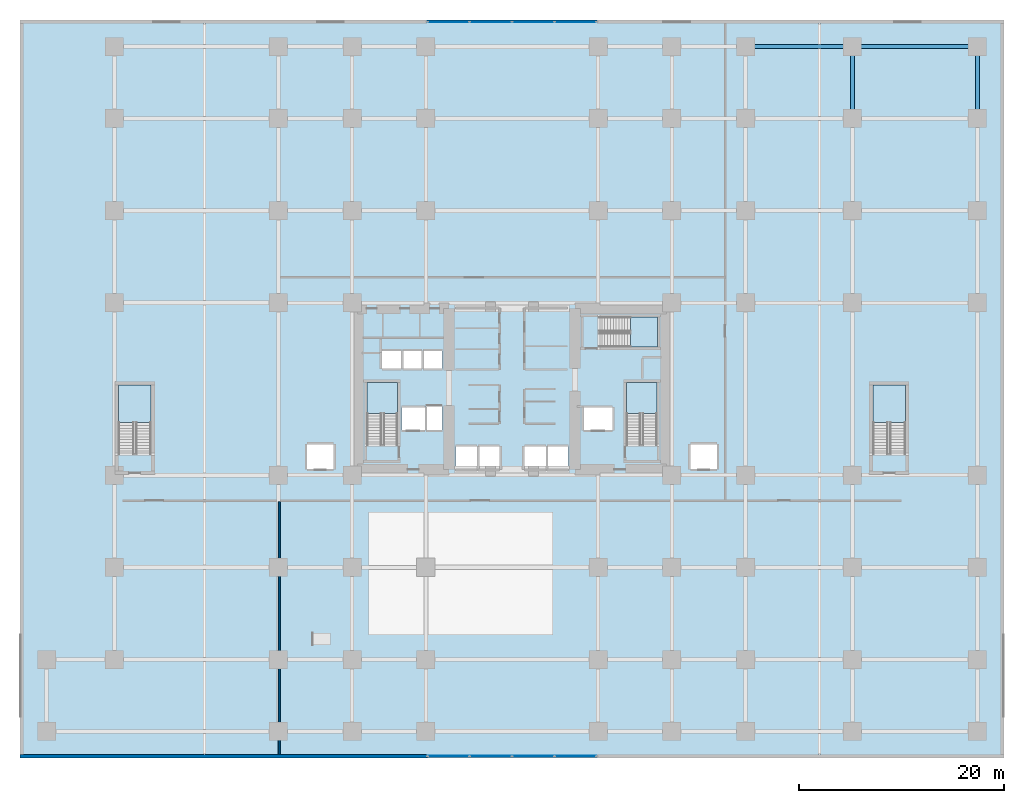
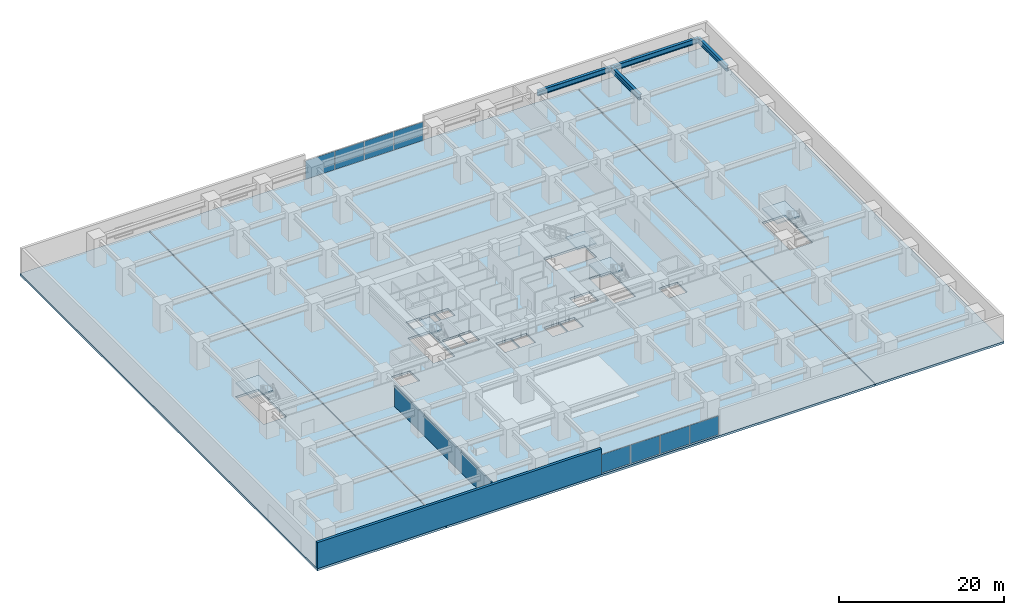
# One storey, part 9 of 22: 8 plates, 8 slabs, 4 beams, 2 walls, 7 elements without a shape of their own.
"""IFC4 building model written with IfcOpenShell, lengths in metres."""

from ifc_helpers import new_model, si_unit, direction, frame, frame_2d, origin, origin_2d, place, context, subcontext, project, spatial, polyline, rectangle, i_section, outline, extrude, material, layer, layer_set, material_profile, profile_set, type_object, element, aggregate, save


model = new_model("IFC4")

# Units and contexts
model_context = context("Model", 3, precision=1e-05, world=origin(), true_north=direction((0.0, 1.0)))
body_context = subcontext(model_context, "Body", "Model", "MODEL_VIEW")
ifc_project = project(units=[si_unit("LENGTHUNIT", "METRE"), si_unit("AREAUNIT", "SQUARE_METRE"), si_unit("VOLUMEUNIT", "CUBIC_METRE"), si_unit("PLANEANGLEUNIT", "RADIAN"), si_unit("MASSUNIT", "GRAM", prefix="KILO")], contexts=[model_context])

# Site, building, storey
site_placement = place(None, origin())
site = spatial("IfcSite", under=ifc_project, at=site_placement, CompositionType="ELEMENT")
building_placement = place(site_placement, origin())
building = spatial("IfcBuilding", under=site, at=building_placement, Name="Kiyonajd Concourse Tower", CompositionType="ELEMENT")
storey_placement = place(building_placement, frame((0.0, 0.0, 12.89990234375)))
storey = spatial("IfcBuildingStorey", under=building, at=storey_placement, Name="L04", CompositionType="ELEMENT", Elevation=12.89990234375)

# Beams
ifc_material_1 = material(Name="Steel ASTM A992 Grade 50", Category="steel")
ifc_material_profile = material_profile(ifc_material_1, i_section(OverallWidth=0.381103515625, OverallDepth=0.77294921875, WebThickness=0.0166015625, FlangeThickness=0.027099609375, at=origin_2d()), Name="W760X257")
ifc_profile_set = profile_set([ifc_material_profile], Name="Steel ASTM A992 Grade 50")
beam_type = type_object("IfcBeamType", Name="BM-POD-760", PredefinedType="BEAM", material=ifc_profile_set)
beam_1_placement = place(storey_placement, frame((70.800048828125, 69.39990234375, 3.45361328125), z_axis=(1.0, 0.0, 0.0), x_axis=(0.0, 1.0, 0.0)))
element("IfcBeam", 1, at=beam_1_placement, inside=storey, type_object=beam_type, Name="L04 Podium Primary Beam", PredefinedType="BEAM", context=body_context, shape_type="SweptSolid", body=[
    extrude(i_section(OverallWidth=0.381103515625, OverallDepth=0.77294921875, WebThickness=0.0166015625, FlangeThickness=0.027099609375, at=origin_2d()), origin(), (0.0, 0.0, 1.0), 10.39990234375),
])
beam_2_placement = place(storey_placement, frame((81.199951171875, 69.39990234375, 3.45361328125), z_axis=(1.0, 0.0, 0.0), x_axis=(0.0, 1.0, 0.0)))
element("IfcBeam", 2, at=beam_2_placement, inside=storey, type_object=beam_type, Name="L04 Podium Primary Beam", PredefinedType="BEAM", context=body_context, shape_type="SweptSolid", body=[
    extrude(i_section(OverallWidth=0.381103515625, OverallDepth=0.77294921875, WebThickness=0.0166015625, FlangeThickness=0.027099609375, at=origin_2d()), origin(), (0.0, 0.0, 1.0), 12.199951171875),
])
for number, where, z_axis, x_axis, name in (
    (3, (81.199951171875, 62.39990234375, 3.45361328125), (0.0, 1.0, 0.0), (-1.0, 0.0, 0.0), "L04 Podium North South Beam"),
    (4, (93.39990234375, 62.39990234375, 3.45361328125), (0.0, 1.0, 0.0), (-1.0, 0.0, 0.0), "L04 Podium North South Beam"),
):
    element("IfcBeam", number, at=place(storey_placement, frame(where, z_axis=z_axis, x_axis=x_axis)), inside=storey, type_object=beam_type, Name=name, PredefinedType="BEAM", context=body_context, shape_type="SweptSolid", body=[
        extrude(i_section(OverallWidth=0.381103515625, OverallDepth=0.77294921875, WebThickness=0.0166015625, FlangeThickness=0.027099609375, at=origin_2d()), origin(), (0.0, 0.0, 1.0), 7.0),
    ])

# Curtain wall, plates
ifc_material_2 = material(Name="Thermally Broken Anodised Aluminium", Category="aluminium")
ifc_layer_1 = layer(ifc_material_2, 0.179931640625)
ifc_layer_set_1 = layer_set([ifc_layer_1], Name="Thermally Broken Anodised Aluminium")
curtain_wall_type = type_object("IfcCurtainWallType", Name="CW-SYS-01", PredefinedType="NOTDEFINED", material=ifc_layer_set_1)
curtain_wall_1_placement = place(storey_placement, origin())
curtain_wall_1 = element("IfcCurtainWall", 5, at=curtain_wall_1_placement, inside=storey, type_object=curtain_wall_type, Name="L04 Unitised Curtain Wall CW1", PredefinedType="NOTDEFINED")
ifc_material_3 = material(Name="Double Low-E Insulated Glass", Category="glass")
ifc_layer_2 = layer(ifc_material_3, 0.0400390625)
ifc_layer_set_2 = layer_set([ifc_layer_2], Name="Double Low-E Insulated Glass")
plate_type = type_object("IfcPlateType", Name="PL-CW-VIS40", PredefinedType="CURTAIN_PANEL", material=ifc_layer_set_2)
plate_1_placement = place(storey_placement, frame((41.808837890625, 71.820068359375, 0.0751953125), z_axis=(0.0, 0.0, 1.0), x_axis=(1.0, 0.0, 0.0)))
plate_1 = element("IfcPlate", 6, at=plate_1_placement, type_object=plate_type, Name="CW1 panel 1.1", PredefinedType="CURTAIN_PANEL", context=body_context, shape_type="SweptSolid", body=[
    extrude(rectangle(XDim=4.027587890625, YDim=0.0400390625, at=origin_2d()), origin(), (0.0, 0.0, 1.0), 2.739990234375),
])
plate_2_placement = place(storey_placement, frame((45.929931640625, 71.820068359375, 0.0751953125), z_axis=(0.0, 0.0, 1.0), x_axis=(1.0, 0.0, 0.0)))
plate_2 = element("IfcPlate", 7, at=plate_2_placement, type_object=plate_type, Name="CW1 panel 2.1", PredefinedType="CURTAIN_PANEL", context=body_context, shape_type="SweptSolid", body=[
    extrude(rectangle(XDim=4.06494140625, YDim=0.0400390625, at=origin_2d()), origin(), (0.0, 0.0, 1.0), 2.739990234375),
])
plate_3_placement = place(storey_placement, frame((50.070068359375, 71.820068359375, 0.0751953125), z_axis=(0.0, 0.0, 1.0), x_axis=(1.0, 0.0, 0.0)))
plate_3 = element("IfcPlate", 8, at=plate_3_placement, type_object=plate_type, Name="CW1 panel 3.1", PredefinedType="CURTAIN_PANEL", context=body_context, shape_type="SweptSolid", body=[
    extrude(rectangle(XDim=4.06494140625, YDim=0.0400390625, at=origin_2d()), origin(), (0.0, 0.0, 1.0), 2.739990234375),
])
plate_4_placement = place(storey_placement, frame((54.191162109375, 71.820068359375, 0.0751953125), z_axis=(0.0, 0.0, 1.0), x_axis=(1.0, 0.0, 0.0)))
plate_4 = element("IfcPlate", 9, at=plate_4_placement, type_object=plate_type, Name="CW1 panel 4.1", PredefinedType="CURTAIN_PANEL", context=body_context, shape_type="SweptSolid", body=[
    extrude(rectangle(XDim=4.027587890625, YDim=0.0400390625, at=origin_2d()), origin(), (0.0, 0.0, 1.0), 2.739990234375),
])
aggregate(curtain_wall_1, [plate_1, plate_2, plate_3, plate_4])

curtain_wall_2_placement = place(storey_placement, origin())
curtain_wall_2 = element("IfcCurtainWall", 10, at=curtain_wall_2_placement, inside=storey, type_object=curtain_wall_type, Name="L04 Unitised Curtain Wall CW1", PredefinedType="NOTDEFINED")
plate_5_placement = place(storey_placement, frame((54.191162109375, 0.179931640625, 0.0751953125), z_axis=(0.0, 0.0, 1.0), x_axis=(-1.0, 0.0, 0.0)))
plate_5 = element("IfcPlate", 11, at=plate_5_placement, type_object=plate_type, Name="CW1 panel 1.1", PredefinedType="CURTAIN_PANEL", context=body_context, shape_type="SweptSolid", body=[
    extrude(rectangle(XDim=4.027587890625, YDim=0.0400390625, at=origin_2d()), origin(), (0.0, 0.0, 1.0), 2.739990234375),
])
plate_6_placement = place(storey_placement, frame((50.070068359375, 0.179931640625, 0.0751953125), z_axis=(0.0, 0.0, 1.0), x_axis=(-1.0, 0.0, 0.0)))
plate_6 = element("IfcPlate", 12, at=plate_6_placement, type_object=plate_type, Name="CW1 panel 2.1", PredefinedType="CURTAIN_PANEL", context=body_context, shape_type="SweptSolid", body=[
    extrude(rectangle(XDim=4.06494140625, YDim=0.0400390625, at=origin_2d()), origin(), (0.0, 0.0, 1.0), 2.739990234375),
])
plate_7_placement = place(storey_placement, frame((45.929931640625, 0.179931640625, 0.0751953125), z_axis=(0.0, 0.0, 1.0), x_axis=(-1.0, 0.0, 0.0)))
plate_7 = element("IfcPlate", 13, at=plate_7_placement, type_object=plate_type, Name="CW1 panel 3.1", PredefinedType="CURTAIN_PANEL", context=body_context, shape_type="SweptSolid", body=[
    extrude(rectangle(XDim=4.06494140625, YDim=0.0400390625, at=origin_2d()), origin(), (0.0, 0.0, 1.0), 2.739990234375),
])
plate_8_placement = place(storey_placement, frame((41.808837890625, 0.179931640625, 0.0751953125), z_axis=(0.0, 0.0, 1.0), x_axis=(-1.0, 0.0, 0.0)))
plate_8 = element("IfcPlate", 14, at=plate_8_placement, type_object=plate_type, Name="CW1 panel 4.1", PredefinedType="CURTAIN_PANEL", context=body_context, shape_type="SweptSolid", body=[
    extrude(rectangle(XDim=4.027587890625, YDim=0.0400390625, at=origin_2d()), origin(), (0.0, 0.0, 1.0), 2.739990234375),
])
aggregate(curtain_wall_2, [plate_5, plate_6, plate_7, plate_8])

# Stair, slab
ifc_material_4 = material(Name="Concrete C40/50", Category="concrete")
stair_type_1 = type_object("IfcStairType", Name="ST-DLG-24R", PredefinedType="HALF_TURN_STAIR", material=ifc_material_4)
stair_1_placement = place(storey_placement, origin())
stair_1 = element("IfcStair", 15, at=stair_1_placement, inside=storey, type_object=stair_type_1, Name="L04 Protected Exit Stair ST1", PredefinedType="HALF_TURN_STAIR")
ifc_layer_3 = layer(ifc_material_4, 0.199951171875)
ifc_layer_set_3 = layer_set([ifc_layer_3], Name="Concrete C40/50")
slab_type_1 = type_object("IfcSlabType", Name="SL-LND-200", PredefinedType="LANDING", material=ifc_layer_set_3)
slab_1_placement = place(storey_placement, frame((0.0, 0.0, 1.900146484375)))
slab_1 = element("IfcSlab", 16, at=slab_1_placement, type_object=slab_type_1, Name="ST1 landing 1", PredefinedType="LANDING", context=body_context, shape_type="SweptSolid", body=[
    extrude(outline(polyline([(36.85009765625, 33.6298828125), (36.85009765625, 36.64990234375), (33.85009765625, 36.64990234375), (33.85009765625, 33.6298828125), (36.85009765625, 33.6298828125)])), origin(), (0.0, 0.0, 1.0), 0.199951171875),
])
aggregate(stair_1, [slab_1])

stair_2_placement = place(storey_placement, origin())
stair_2 = element("IfcStair", 17, at=stair_2_placement, inside=storey, type_object=stair_type_1, Name="L04 Protected Exit Stair ST2", PredefinedType="HALF_TURN_STAIR")
slab_2_placement = place(storey_placement, frame((0.0, 0.0, 1.900146484375)))
slab_2 = element("IfcSlab", 18, at=slab_2_placement, type_object=slab_type_1, Name="ST2 landing 1", PredefinedType="LANDING", context=body_context, shape_type="SweptSolid", body=[
    extrude(outline(polyline([(62.14990234375, 33.6298828125), (62.14990234375, 36.64990234375), (59.14990234375, 36.64990234375), (59.14990234375, 33.6298828125), (62.14990234375, 33.6298828125)])), origin(), (0.0, 0.0, 1.0), 0.199951171875),
])
aggregate(stair_2, [slab_2])

stair_3_placement = place(storey_placement, origin())
stair_3 = element("IfcStair", 19, at=stair_3_placement, inside=storey, type_object=stair_type_1, Name="L04 Protected Exit Stair ST3", PredefinedType="HALF_TURN_STAIR")
slab_3_placement = place(storey_placement, frame((0.0, 0.0, 1.900146484375)))
slab_3 = element("IfcSlab", 20, at=slab_3_placement, type_object=slab_type_1, Name="ST3 landing 1", PredefinedType="LANDING", context=body_context, shape_type="SweptSolid", body=[
    extrude(outline(polyline([(59.56005859375, 40.080078125), (62.179931640625, 40.080078125), (62.179931640625, 43.02001953125), (59.56005859375, 43.02001953125), (59.56005859375, 40.080078125)])), origin(), (0.0, 0.0, 1.0), 0.199951171875),
])
aggregate(stair_3, [slab_3])

stair_type_2 = type_object("IfcStairType", Name="ST-POD-1500", PredefinedType="HALF_TURN_STAIR", material=ifc_material_4)
stair_4_placement = place(storey_placement, origin())
stair_4 = element("IfcStair", 21, at=stair_4_placement, inside=storey, type_object=stair_type_2, Name="L04 West Podium Exit Stair ST4", PredefinedType="HALF_TURN_STAIR")
slab_4_placement = place(storey_placement, frame((0.0, 0.0, 1.900146484375)))
slab_4 = element("IfcSlab", 22, at=slab_4_placement, type_object=slab_type_1, Name="ST4 landing 1", PredefinedType="LANDING", context=body_context, shape_type="SweptSolid", body=[
    extrude(outline(polyline([(12.800048828125, 32.72998046875), (12.800048828125, 36.39990234375), (9.60009765625, 36.39990234375), (9.60009765625, 32.72998046875), (12.800048828125, 32.72998046875)])), origin(), (0.0, 0.0, 1.0), 0.199951171875),
])
aggregate(stair_4, [slab_4])

stair_5_placement = place(storey_placement, origin())
stair_5 = element("IfcStair", 23, at=stair_5_placement, inside=storey, type_object=stair_type_2, Name="L04 East Podium Exit Stair ST5", PredefinedType="HALF_TURN_STAIR")
slab_5_placement = place(storey_placement, frame((0.0, 0.0, 1.900146484375)))
slab_5 = element("IfcSlab", 24, at=slab_5_placement, type_object=slab_type_1, Name="ST5 landing 1", PredefinedType="LANDING", context=body_context, shape_type="SweptSolid", body=[
    extrude(outline(polyline([(86.39990234375, 32.72998046875), (86.39990234375, 36.39990234375), (83.199951171875, 36.39990234375), (83.199951171875, 32.72998046875), (86.39990234375, 32.72998046875)])), origin(), (0.0, 0.0, 1.0), 0.199951171875),
])
aggregate(stair_5, [slab_5])

# Slabs
ifc_layer_4 = layer(ifc_material_4, 0.320068359375)
ifc_layer_set_4 = layer_set([ifc_layer_4], Name="Concrete C40/50")
slab_type_2 = type_object("IfcSlabType", Name="SL-POD-320", PredefinedType="FLOOR", material=ifc_layer_set_4)
slab_6_placement = place(storey_placement, frame((0.0, 0.0, -0.31982421875)))
element("IfcSlab", 25, at=slab_6_placement, inside=storey, type_object=slab_type_2, Name="L04 West Wing Podium Structural Floor Slab", PredefinedType="FLOOR", context=body_context, shape_type="SweptSolid", body=[
    extrude(outline(polyline([(0.0, 0.0), (17.93994140625, 0.0), (17.93994140625, 72.0), (0.0, 72.0), (0.0, 0.0)]), holes=[polyline([(9.60009765625, 29.64990234375), (9.60009765625, 36.39990234375), (12.800048828125, 36.39990234375), (12.800048828125, 29.64990234375), (9.60009765625, 29.64990234375)])]), origin(), (0.0, 0.0, 1.0), 0.31982421875),
])
slab_7_placement = place(storey_placement, frame((0.0, 0.0, -0.31982421875)))
element("IfcSlab", 26, at=slab_7_placement, inside=storey, type_object=slab_type_2, Name="L04 Central Tower Zone Podium Structural Floor Slab", PredefinedType="FLOOR", context=body_context, shape_type="SweptSolid", body=[
    extrude(outline(polyline([(18.06005859375, 0.0), (77.93994140625, 0.0), (77.93994140625, 72.0), (18.06005859375, 72.0), (18.06005859375, 0.0)]), holes=[polyline([(42.5, 28.199951171875), (42.5, 30.39990234375), (44.60009765625, 30.39990234375), (44.60009765625, 28.199951171875), (42.5, 28.199951171875)]), polyline([(28.0, 28.199951171875), (28.0, 30.60009765625), (30.60009765625, 30.60009765625), (30.60009765625, 28.199951171875), (28.0, 28.199951171875)]), polyline([(37.199951171875, 32.0), (37.199951171875, 34.199951171875), (39.5, 34.199951171875), (39.5, 32.0), (37.199951171875, 32.0)]), polyline([(39.60009765625, 32.0), (39.60009765625, 34.300048828125), (41.199951171875, 34.300048828125), (41.199951171875, 32.0), (39.60009765625, 32.0)]), polyline([(33.85009765625, 30.550048828125), (33.85009765625, 36.64990234375), (36.85009765625, 36.64990234375), (36.85009765625, 30.550048828125), (33.85009765625, 30.550048828125)]), polyline([(35.300048828125, 38.0), (35.300048828125, 39.699951171875), (37.199951171875, 39.699951171875), (37.199951171875, 38.0), (35.300048828125, 38.0)]), polyline([(37.300048828125, 38.0), (37.300048828125, 39.699951171875), (39.199951171875, 39.699951171875), (39.199951171875, 38.0), (37.300048828125, 38.0)]), polyline([(39.300048828125, 38.0), (39.300048828125, 39.699951171875), (41.199951171875, 39.699951171875), (41.199951171875, 38.0), (39.300048828125, 38.0)]), polyline([(44.699951171875, 28.199951171875), (44.699951171875, 30.39990234375), (46.800048828125, 30.39990234375), (46.800048828125, 28.199951171875), (44.699951171875, 28.199951171875)]), polyline([(49.199951171875, 28.199951171875), (49.199951171875, 30.39990234375), (51.300048828125, 30.39990234375), (51.300048828125, 28.199951171875), (49.199951171875, 28.199951171875)]), polyline([(51.39990234375, 28.199951171875), (51.39990234375, 30.39990234375), (53.5, 30.39990234375), (53.5, 28.199951171875), (51.39990234375, 28.199951171875)]), polyline([(65.39990234375, 28.199951171875), (65.39990234375, 30.60009765625), (68.0, 30.60009765625), (68.0, 28.199951171875), (65.39990234375, 28.199951171875)]), polyline([(55.0, 32.0), (55.0, 34.199951171875), (57.800048828125, 34.199951171875), (57.800048828125, 32.0), (55.0, 32.0)]), polyline([(59.14990234375, 36.64990234375), (62.14990234375, 36.64990234375), (62.14990234375, 30.550048828125), (59.14990234375, 30.550048828125), (59.14990234375, 36.64990234375)]), polyline([(62.179931640625, 43.02001953125), (62.179931640625, 40.080078125), (56.47998046875, 40.080078125), (56.47998046875, 43.02001953125), (62.179931640625, 43.02001953125)])]), origin(), (0.0, 0.0, 1.0), 0.31982421875),
])
slab_8_placement = place(storey_placement, frame((0.0, 0.0, -0.31982421875)))
element("IfcSlab", 27, at=slab_8_placement, inside=storey, type_object=slab_type_2, Name="L04 East Wing Podium Structural Floor Slab", PredefinedType="FLOOR", context=body_context, shape_type="SweptSolid", body=[
    extrude(outline(polyline([(78.06005859375, 0.0), (96.0, 0.0), (96.0, 72.0), (78.06005859375, 72.0), (78.06005859375, 0.0)]), holes=[polyline([(83.199951171875, 29.64990234375), (83.199951171875, 36.39990234375), (86.39990234375, 36.39990234375), (86.39990234375, 29.64990234375), (83.199951171875, 29.64990234375)])]), origin(), (0.0, 0.0, 1.0), 0.31982421875),
])

# Walls
ifc_material_5 = material(Name="Precast concrete C50/60", Category="concrete")
ifc_layer_5 = layer(ifc_material_5, 0.360107421875)
ifc_layer_set_5 = layer_set([ifc_layer_5], Name="Precast concrete C50/60")
wall_type_1 = type_object("IfcWallType", Name="WL-EXT-360", PredefinedType="SOLIDWALL", material=ifc_layer_set_5)
wall_1_placement = place(storey_placement, frame((39.719970703125, 0.179931640625, 0.0), z_axis=(0.0, 0.0, 1.0), x_axis=(-1.0, 0.0, 0.0)))
element("IfcWall", 28, at=wall_1_placement, inside=storey, type_object=wall_type_1, Name="L04 South West Podium Facade Wall", PredefinedType="SOLIDWALL", context=body_context, shape_type="SweptSolid", body=[
    extrude(rectangle(XDim=39.719970703125, YDim=0.360107421875, at=frame_2d((19.85986328125, 0.0))), origin(), (0.0, 0.0, 1.0), 3.840087890625),
])
ifc_material_6 = material(Name="Gypsum Board on Cold-Formed Steel Stud", Category="steel")
ifc_layer_6 = layer(ifc_material_6, 0.169921875)
ifc_layer_set_6 = layer_set([ifc_layer_6], Name="Gypsum Board on Cold-Formed Steel Stud")
wall_type_2 = type_object("IfcWallType", Name="WL-SMK-170", PredefinedType="PARTITIONING", material=ifc_layer_set_6)
wall_2_placement = place(storey_placement, frame((25.300048828125, 0.35498046875, 0.0), z_axis=(0.0, 0.0, 1.0), x_axis=(0.0, 1.0, 0.0)))
element("IfcWall", 29, at=wall_2_placement, inside=storey, type_object=wall_type_2, Name="L04 Interior Partition Wall", PredefinedType="PARTITIONING", context=body_context, shape_type="SweptSolid", body=[
    extrude(rectangle(XDim=24.657958984375, YDim=0.169921875, at=frame_2d((12.3291015625, 0.0))), origin(), (0.0, 0.0, 1.0), 3.052001953125),
])

save(model, "model.ifc")
